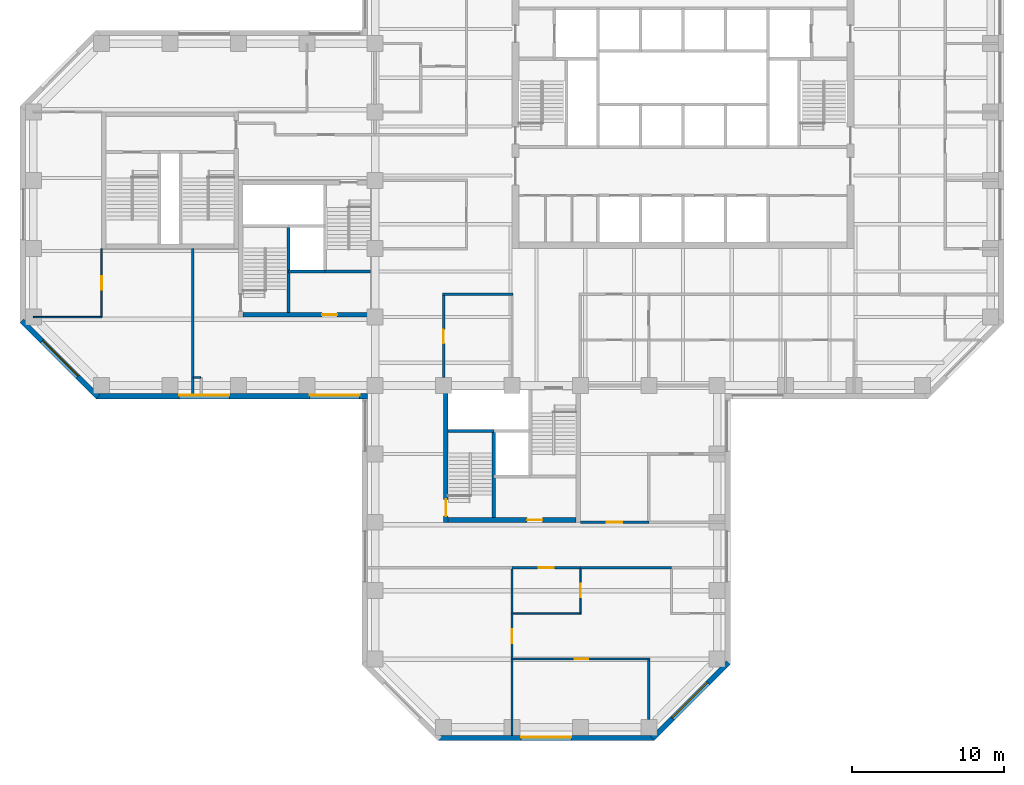
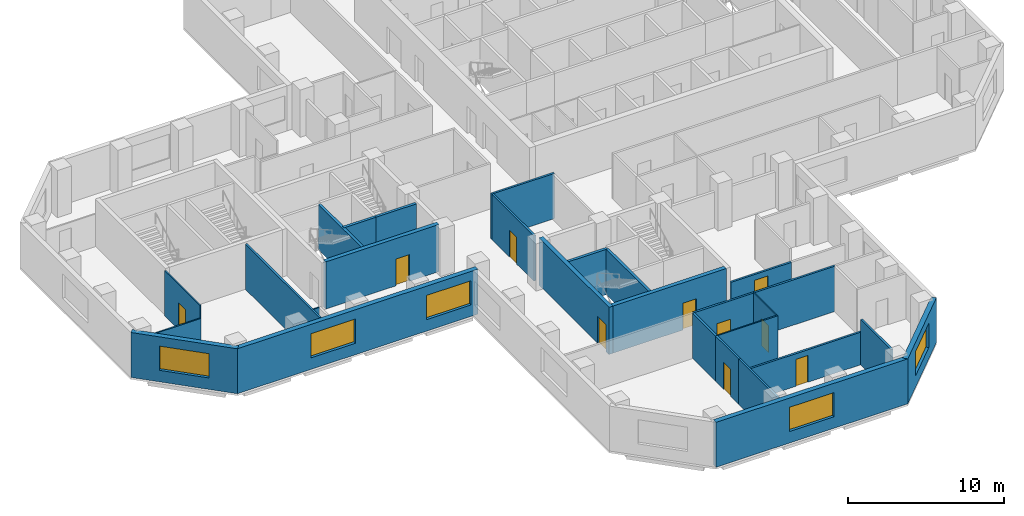
# One storey, part 3 of 11: 28 walls, 10 doors, 5 windows, 15 openings.
"""IFC4 building model written with IfcOpenShell, lengths in metres."""

from ifc_helpers import new_model, si_unit, direction, frame, frame_2d, origin, place, context, subcontext, project, spatial, rectangle, extrude, material, layer, layer_set, constituent, constituent_set, type_object, element, fill, save


model = new_model("IFC4")

# Units and contexts
model_context = context("Model", 3, precision=1e-05, world=origin(), true_north=direction((0.0, 1.0)))
body_context = subcontext(model_context, "Body", "Model", "MODEL_VIEW")
ifc_project = project(units=[si_unit("LENGTHUNIT", "METRE"), si_unit("AREAUNIT", "SQUARE_METRE"), si_unit("VOLUMEUNIT", "CUBIC_METRE"), si_unit("PLANEANGLEUNIT", "RADIAN"), si_unit("MASSUNIT", "GRAM", prefix="KILO")], contexts=[model_context])

# Site, building, storey
site_placement = place(None, origin())
site = spatial("IfcSite", under=ifc_project, at=site_placement, CompositionType="ELEMENT")
building_placement = place(site_placement, origin())
building = spatial("IfcBuilding", under=site, at=building_placement, Name="Quoin Convention Tower", CompositionType="ELEMENT")
storey_placement = place(building_placement, frame((0.0, 0.0, 104.800048828125)))
storey = spatial("IfcBuildingStorey", under=building, at=storey_placement, Name="L27", CompositionType="ELEMENT", Elevation=104.800048828125)

# Walls
ifc_material_1 = material(Name="Plasterboard")
ifc_layer_1 = layer(ifc_material_1, 0.012451171875, Name="Finish")
ifc_material_2 = material(Name="Steel stud framing", Category="steel")
ifc_layer_2 = layer(ifc_material_2, 0.125, Name="Structure")
ifc_layer_3 = layer(ifc_material_1, 0.012451171875, Name="Finish")
ifc_layer_set_1 = layer_set([ifc_layer_1, ifc_layer_2, ifc_layer_3], Name="Steel stud framing")
wall_type_1 = type_object("IfcWallType", Name="Acoustic partition 150", PredefinedType="PARTITIONING", material=ifc_layer_set_1)
wall_1_placement = place(storey_placement, frame((45.0, 17.47509765625, 0.0), z_axis=(0.0, 0.0, 1.0), x_axis=(0.0, 1.0, 0.0)))
element("IfcWall", 1, at=wall_1_placement, inside=storey, type_object=wall_type_1, Name="pw-L27-050", PredefinedType="PARTITIONING", context=body_context, shape_type="SweptSolid", body=[
    extrude(rectangle(XDim=5.02490234375, YDim=0.14990234375, at=frame_2d((2.512451171875, 0.0))), origin(), (0.0, 0.0, 1.0), 3.550048828125),
])
wall_2_placement = place(storey_placement, frame((54.0, 18.52490234375, 0.0), z_axis=(0.0, 0.0, 1.0), x_axis=(0.0, 1.0, 0.0)))
element("IfcWall", 2, at=wall_2_placement, inside=storey, type_object=wall_type_1, Name="pw-L27-051", PredefinedType="PARTITIONING", context=body_context, shape_type="SweptSolid", body=[
    extrude(rectangle(XDim=3.900146484375, YDim=0.14990234375, at=frame_2d((1.9501953125, 0.0))), origin(), (0.0, 0.0, 1.0), 3.550048828125),
])

# Wall, opening, door
wall_3_placement = place(storey_placement, frame((45.0, 22.5, 0.0), z_axis=(0.0, 0.0, 1.0), x_axis=(0.0, 1.0, 0.0)))
wall_3 = element("IfcWall", 3, at=wall_3_placement, inside=storey, type_object=wall_type_1, Name="pw-L27-052", PredefinedType="PARTITIONING", context=body_context, shape_type="SweptSolid", body=[
    extrude(rectangle(XDim=3.0, YDim=0.14990234375, at=frame_2d((1.5, 0.0))), origin(), (0.0, 0.0, 1.0), 3.550048828125),
])
opening_1_placement = place(wall_3_placement, frame((1.050048828125, 0.0, 0.0)))
opening_1 = element("IfcOpeningElement", 4, at=opening_1_placement, cuts=wall_3, Name="Opening DOL4-17", PredefinedType="OPENING", context=body_context, shape_type="SweptSolid", body=[
    extrude(rectangle(XDim=0.89990234375, YDim=2.10009765625, at=frame_2d((0.449951171875, 1.050048828125))), frame((0.0, 0.0849609375, 0.0), z_axis=(0.0, -1.0, 0.0), x_axis=(1.0, 0.0, 0.0)), (0.0, 0.0, 1.0), 0.169921875),
])
ifc_material_3 = material(Name="Steel door leaf", Category="steel")
door_type_1 = type_object("IfcDoorType", Name="Office door 900 x 2100", OperationType="SINGLE_SWING_RIGHT", PredefinedType="DOOR", material=ifc_material_3)
door_1_placement = place(opening_1_placement, origin())
door_1 = element("IfcDoor", 5, at=door_1_placement, inside=storey, type_object=door_type_1, Name="dr-L27-13", OperationType="SINGLE_SWING_RIGHT", OverallHeight=2.10009765625, OverallWidth=0.89990234375, PredefinedType="DOOR", context=body_context, shape_type="SweptSolid", body=[
    extrude(rectangle(XDim=0.89990234375, YDim=2.10009765625, at=frame_2d((0.449951171875, 1.050048828125))), frame((0.0, 0.02490234375, 0.0), z_axis=(0.0, -1.0, 0.0), x_axis=(1.0, 0.0, 0.0)), (0.0, 0.0, 1.0), 0.050048828125),
])
fill(opening_1, door_1)

# Wall
wall_4_placement = place(storey_placement, frame((45.0, 25.5, 0.0), z_axis=(0.0, 0.0, 1.0), x_axis=(0.0, 1.0, 0.0)))
element("IfcWall", 6, at=wall_4_placement, inside=storey, type_object=wall_type_1, Name="pw-L27-053", PredefinedType="PARTITIONING", context=body_context, shape_type="SweptSolid", body=[
    extrude(rectangle(XDim=2.925048828125, YDim=0.14990234375, at=frame_2d((1.46240234375, 0.0))), origin(), (0.0, 0.0, 1.0), 3.550048828125),
])

# Wall, opening, door
ifc_layer_4 = layer(ifc_material_1, 0.012451171875, Name="Finish")
ifc_layer_5 = layer(ifc_material_2, 0.125, Name="Structure")
ifc_layer_6 = layer(ifc_material_1, 0.012451171875, Name="Finish")
ifc_layer_set_2 = layer_set([ifc_layer_4, ifc_layer_5, ifc_layer_6], Name="Steel stud framing")
wall_type_2 = type_object("IfcWallType", Name="Acoustic partition 150 under beam 1000", PredefinedType="PARTITIONING", material=ifc_layer_set_2)
wall_5_placement = place(storey_placement, frame((45.074951171875, 22.5, 0.0), z_axis=(0.0, 0.0, 1.0), x_axis=(1.0, 0.0, 0.0)))
wall_5 = element("IfcWall", 7, at=wall_5_placement, inside=storey, type_object=wall_type_2, Name="pw-L27-001", PredefinedType="PARTITIONING", context=body_context, shape_type="SweptSolid", body=[
    extrude(rectangle(XDim=9.0, YDim=0.14990234375, at=frame_2d((4.5, 0.0))), origin(), (0.0, 0.0, 1.0), 2.550048828125),
])
opening_2_placement = place(wall_5_placement, frame((4.050048828125, 0.0, 0.0)))
opening_2 = element("IfcOpeningElement", 8, at=opening_2_placement, cuts=wall_5, Name="Opening DOL4-01", PredefinedType="OPENING", context=body_context, shape_type="SweptSolid", body=[
    extrude(rectangle(XDim=0.89990234375, YDim=2.10009765625, at=frame_2d((0.449951171875, 1.050048828125))), frame((0.0, 0.0849609375, 0.0), z_axis=(0.0, -1.0, 0.0), x_axis=(1.0, 0.0, 0.0)), (0.0, 0.0, 1.0), 0.169921875),
])
door_2_placement = place(opening_2_placement, origin())
door_2 = element("IfcDoor", 9, at=door_2_placement, inside=storey, type_object=door_type_1, Name="dr-L27-14", OperationType="SINGLE_SWING_RIGHT", OverallHeight=2.10009765625, OverallWidth=0.89990234375, PredefinedType="DOOR", context=body_context, shape_type="SweptSolid", body=[
    extrude(rectangle(XDim=0.89990234375, YDim=2.10009765625, at=frame_2d((0.449951171875, 1.050048828125))), frame((0.0, 0.02490234375, 0.0), z_axis=(0.0, -1.0, 0.0), x_axis=(1.0, 0.0, 0.0)), (0.0, 0.0, 1.0), 0.050048828125),
])
fill(opening_2, door_2)

# Wall, opening, window
ifc_material_4 = material(Name="Brick masonry", Category="masonry")
ifc_layer_7 = layer(ifc_material_4, 0.35009765625)
ifc_layer_set_3 = layer_set([ifc_layer_7], Name="Brick masonry")
wall_type_3 = type_object("IfcWallType", Name="Brick facade wall", PredefinedType="STANDARD", material=ifc_layer_set_3)
wall_6_placement = place(storey_placement, frame((12.748779296875, 44.76123046875, 0.0), z_axis=(0.0, 0.0, 1.0), x_axis=(0.707106781187, -0.707106781187, 0.0)))
wall_6 = element("IfcWall", 10, at=wall_6_placement, inside=storey, type_object=wall_type_3, Name="fw-L27-13500_45000", PredefinedType="STANDARD", context=body_context, shape_type="SweptSolid", body=[
    extrude(rectangle(XDim=7.088623046875, YDim=0.35009765625, at=frame_2d((3.54443359375, 0.0))), origin(), (0.0, 0.0, 1.0), 3.52490234375),
])
opening_3_placement = place(wall_6_placement, frame((1.894287109375, 0.0, 0.89990234375)))
opening_3 = element("IfcOpeningElement", 11, at=opening_3_placement, cuts=wall_6, Name="Opening W-02", PredefinedType="OPENING", context=body_context, shape_type="SweptSolid", body=[
    extrude(rectangle(XDim=3.300048828125, YDim=1.89990234375, at=frame_2d((1.64990234375, 0.949951171875))), frame((0.0, 0.18505859375, 0.0), z_axis=(0.0, -1.0, 0.0), x_axis=(1.0, 0.0, 0.0)), (0.0, 0.0, 1.0), 0.3701171875),
])
ifc_material_5 = material(Name="Aluminium", Category="aluminium")
ifc_constituent_1 = constituent(ifc_material_5, Name="Frame")
ifc_material_6 = material(Name="Insulated glass", Category="glass")
ifc_constituent_2 = constituent(ifc_material_6, Name="Glazing")
ifc_constituent_set = constituent_set(constituents=[ifc_constituent_1, ifc_constituent_2], Name="Aluminium")
window_type = type_object("IfcWindowType", Name="Office window", PartitioningType="DOUBLE_PANEL_VERTICAL", PredefinedType="WINDOW", material=ifc_constituent_set)
window_1_placement = place(opening_3_placement, origin())
window_1 = element("IfcWindow", 12, at=window_1_placement, inside=storey, type_object=window_type, Name="win-L27-15255_42255", OverallHeight=1.89990234375, OverallWidth=3.300048828125, PartitioningType="SINGLE_PANEL", PredefinedType="WINDOW", context=body_context, shape_type="SweptSolid", body=[
    extrude(rectangle(XDim=3.300048828125, YDim=1.89990234375, at=frame_2d((1.64990234375, 0.949951171875))), frame((0.0, 0.0849609375, 0.0), z_axis=(0.0, -1.0, 0.0), x_axis=(1.0, 0.0, 0.0)), (0.0, 0.0, 1.0), 0.06005859375),
])
fill(opening_3, window_1)

# Wall, openings, windows
wall_7_placement = place(storey_placement, frame((17.6376953125, 39.800048828125, 0.0), z_axis=(0.0, 0.0, 1.0), x_axis=(1.0, 0.0, 0.0)))
wall_7 = element("IfcWall", 13, at=wall_7_placement, inside=storey, type_object=wall_type_3, Name="fw-L27-18000_40500", PredefinedType="STANDARD", context=body_context, shape_type="SweptSolid", body=[
    extrude(rectangle(XDim=17.83740234375, YDim=0.35009765625, at=frame_2d((8.918701171875, 0.0))), origin(), (0.0, 0.0, 1.0), 3.52490234375),
])
opening_4_placement = place(wall_7_placement, frame((5.46240234375, 0.0, 0.89990234375)))
opening_4 = element("IfcOpeningElement", 14, at=opening_4_placement, cuts=wall_7, Name="Opening W-02", PredefinedType="OPENING", context=body_context, shape_type="SweptSolid", body=[
    extrude(rectangle(XDim=3.300048828125, YDim=1.89990234375, at=frame_2d((1.64990234375, 0.949951171875))), frame((0.0, 0.18505859375, 0.0), z_axis=(0.0, -1.0, 0.0), x_axis=(1.0, 0.0, 0.0)), (0.0, 0.0, 1.0), 0.3701171875),
])
opening_5_placement = place(wall_7_placement, frame((14.037353515625, 0.0, 0.89990234375)))
opening_5 = element("IfcOpeningElement", 15, at=opening_5_placement, cuts=wall_7, Name="Opening W-02", PredefinedType="OPENING", context=body_context, shape_type="SweptSolid", body=[
    extrude(rectangle(XDim=3.300048828125, YDim=1.89990234375, at=frame_2d((1.64990234375, 0.949951171875))), frame((0.0, 0.18505859375, 0.0), z_axis=(0.0, -1.0, 0.0), x_axis=(1.0, 0.0, 0.0)), (0.0, 0.0, 1.0), 0.3701171875),
])
window_2_placement = place(opening_4_placement, origin())
window_2 = element("IfcWindow", 16, at=window_2_placement, inside=storey, type_object=window_type, Name="win-L27-24750_39800", OverallHeight=1.89990234375, OverallWidth=3.300048828125, PartitioningType="SINGLE_PANEL", PredefinedType="WINDOW", context=body_context, shape_type="SweptSolid", body=[
    extrude(rectangle(XDim=3.300048828125, YDim=1.89990234375, at=frame_2d((1.64990234375, 0.949951171875))), frame((0.0, 0.0849609375, 0.0), z_axis=(0.0, -1.0, 0.0), x_axis=(1.0, 0.0, 0.0)), (0.0, 0.0, 1.0), 0.06005859375),
])
fill(opening_4, window_2)
window_3_placement = place(opening_5_placement, origin())
window_3 = element("IfcWindow", 17, at=window_3_placement, inside=storey, type_object=window_type, Name="win-L27-33750_39800", OverallHeight=1.89990234375, OverallWidth=3.300048828125, PartitioningType="SINGLE_PANEL", PredefinedType="WINDOW", context=body_context, shape_type="SweptSolid", body=[
    extrude(rectangle(XDim=3.300048828125, YDim=1.89990234375, at=frame_2d((1.64990234375, 0.949951171875))), frame((0.0, 0.0849609375, 0.0), z_axis=(0.0, -1.0, 0.0), x_axis=(1.0, 0.0, 0.0)), (0.0, 0.0, 1.0), 0.06005859375),
])
fill(opening_5, window_3)

# Wall, opening, window
wall_8_placement = place(storey_placement, frame((40.1376953125, 17.300048828125, 0.0), z_axis=(0.0, 0.0, 1.0), x_axis=(1.0, 0.0, 0.0)))
wall_8 = element("IfcWall", 18, at=wall_8_placement, inside=storey, type_object=wall_type_3, Name="fw-L27-40500_18000", PredefinedType="STANDARD", context=body_context, shape_type="SweptSolid", body=[
    extrude(rectangle(XDim=14.224609375, YDim=0.35009765625, at=frame_2d((7.1123046875, 0.0))), origin(), (0.0, 0.0, 1.0), 3.52490234375),
])
opening_6_placement = place(wall_8_placement, frame((5.46240234375, 0.0, 0.89990234375)))
opening_6 = element("IfcOpeningElement", 19, at=opening_6_placement, cuts=wall_8, Name="Opening W-02", PredefinedType="OPENING", context=body_context, shape_type="SweptSolid", body=[
    extrude(rectangle(XDim=3.300048828125, YDim=1.89990234375, at=frame_2d((1.64990234375, 0.949951171875))), frame((0.0, 0.18505859375, 0.0), z_axis=(0.0, -1.0, 0.0), x_axis=(1.0, 0.0, 0.0)), (0.0, 0.0, 1.0), 0.3701171875),
])
window_4_placement = place(opening_6_placement, origin())
window_4 = element("IfcWindow", 20, at=window_4_placement, inside=storey, type_object=window_type, Name="win-L27-47250_17300", OverallHeight=1.89990234375, OverallWidth=3.300048828125, PartitioningType="SINGLE_PANEL", PredefinedType="WINDOW", context=body_context, shape_type="SweptSolid", body=[
    extrude(rectangle(XDim=3.300048828125, YDim=1.89990234375, at=frame_2d((1.64990234375, 0.949951171875))), frame((0.0, 0.0849609375, 0.0), z_axis=(0.0, -1.0, 0.0), x_axis=(1.0, 0.0, 0.0)), (0.0, 0.0, 1.0), 0.06005859375),
])
fill(opening_6, window_4)

wall_9_placement = place(storey_placement, frame((54.23876953125, 17.248779296875, 0.0), z_axis=(0.0, 0.0, 1.0), x_axis=(0.707106781187, 0.707106781187, 0.0)))
wall_9 = element("IfcWall", 21, at=wall_9_placement, inside=storey, type_object=wall_type_3, Name="fw-L27-54000_18000", PredefinedType="STANDARD", context=body_context, shape_type="SweptSolid", body=[
    extrude(rectangle(XDim=7.088623046875, YDim=0.35009765625, at=frame_2d((3.54443359375, 0.0))), origin(), (0.0, 0.0, 1.0), 3.52490234375),
])
opening_7_placement = place(wall_9_placement, frame((1.894287109375, 0.0, 0.89990234375)))
opening_7 = element("IfcOpeningElement", 22, at=opening_7_placement, cuts=wall_9, Name="Opening W-02", PredefinedType="OPENING", context=body_context, shape_type="SweptSolid", body=[
    extrude(rectangle(XDim=3.300048828125, YDim=1.89990234375, at=frame_2d((1.64990234375, 0.949951171875))), frame((0.0, 0.18505859375, 0.0), z_axis=(0.0, -1.0, 0.0), x_axis=(1.0, 0.0, 0.0)), (0.0, 0.0, 1.0), 0.3701171875),
])
window_5_placement = place(opening_7_placement, origin())
window_5 = element("IfcWindow", 23, at=window_5_placement, inside=storey, type_object=window_type, Name="win-L27-56745_19755", OverallHeight=1.89990234375, OverallWidth=3.300048828125, PartitioningType="SINGLE_PANEL", PredefinedType="WINDOW", context=body_context, shape_type="SweptSolid", body=[
    extrude(rectangle(XDim=3.300048828125, YDim=1.89990234375, at=frame_2d((1.64990234375, 0.949951171875))), frame((0.0, 0.0849609375, 0.0), z_axis=(0.0, -1.0, 0.0), x_axis=(1.0, 0.0, 0.0)), (0.0, 0.0, 1.0), 0.06005859375),
])
fill(opening_7, window_5)

# Walls
ifc_material_7 = material(Name="Concrete C50", Category="concrete")
ifc_layer_8 = layer(ifc_material_7, 0.199951171875)
ifc_layer_set_4 = layer_set([ifc_layer_8], Name="Concrete C50")
wall_type_4 = type_object("IfcWallType", Name="Core shaft wall", PredefinedType="SOLIDWALL", material=ifc_layer_set_4)
wall_10_placement = place(storey_placement, frame((30.300048828125, 48.0, 0.0), z_axis=(0.0, 0.0, 1.0), x_axis=(1.0, 0.0, 0.0)))
element("IfcWall", 24, at=wall_10_placement, inside=storey, type_object=wall_type_4, Name="cr-P2-L27-h3000_3300", PredefinedType="SOLIDWALL", context=body_context, shape_type="SweptSolid", body=[
    extrude(rectangle(XDim=2.39990234375, YDim=0.199951171875, at=frame_2d((1.199951171875, 0.0))), origin(), (0.0, 0.0, 1.0), 3.550048828125),
])
wall_11_placement = place(storey_placement, frame((32.699951171875, 48.0, 0.0), z_axis=(0.0, 0.0, 1.0), x_axis=(1.0, 0.0, 0.0)))
element("IfcWall", 25, at=wall_11_placement, inside=storey, type_object=wall_type_4, Name="cr-P2-L27-h3000_5700", PredefinedType="SOLIDWALL", context=body_context, shape_type="SweptSolid", body=[
    extrude(rectangle(XDim=3.0, YDim=0.199951171875, at=frame_2d((1.5, 0.0))), origin(), (0.0, 0.0, 1.0), 3.550048828125),
])
wall_12_placement = place(storey_placement, frame((30.300048828125, 45.300048828125, 0.0), z_axis=(0.0, 0.0, 1.0), x_axis=(0.0, 1.0, 0.0)))
element("IfcWall", 26, at=wall_12_placement, inside=storey, type_object=wall_type_4, Name="cr-P2-L27-v3300_300", PredefinedType="SOLIDWALL", context=body_context, shape_type="SweptSolid", body=[
    extrude(rectangle(XDim=5.699951171875, YDim=0.199951171875, at=frame_2d((2.85009765625, 0.0))), origin(), (0.0, 0.0, 1.0), 3.550048828125),
])
wall_13_placement = place(storey_placement, frame((40.800048828125, 37.5, 0.0), z_axis=(0.0, 0.0, 1.0), x_axis=(1.0, 0.0, 0.0)))
element("IfcWall", 27, at=wall_13_placement, inside=storey, type_object=wall_type_4, Name="cr-P3-L27-h6000_300", PredefinedType="SOLIDWALL", context=body_context, shape_type="SweptSolid", body=[
    extrude(rectangle(XDim=3.0, YDim=0.199951171875, at=frame_2d((1.5, 0.0))), origin(), (0.0, 0.0, 1.0), 3.550048828125),
])
wall_14_placement = place(storey_placement, frame((43.800048828125, 31.800048828125, 0.0), z_axis=(0.0, 0.0, 1.0), x_axis=(0.0, 1.0, 0.0)))
element("IfcWall", 28, at=wall_14_placement, inside=storey, type_object=wall_type_4, Name="cr-P3-L27-v3300_300", PredefinedType="SOLIDWALL", context=body_context, shape_type="SweptSolid", body=[
    extrude(rectangle(XDim=5.699951171875, YDim=0.199951171875, at=frame_2d((2.85009765625, 0.0))), origin(), (0.0, 0.0, 1.0), 3.550048828125),
])

# Wall, opening, door
ifc_layer_9 = layer(ifc_material_1, 0.012451171875, Name="Finish")
ifc_layer_10 = layer(ifc_material_2, 0.125, Name="Structure")
ifc_layer_11 = layer(ifc_material_1, 0.012451171875, Name="Finish")
ifc_layer_set_5 = layer_set([ifc_layer_9, ifc_layer_10, ifc_layer_11], Name="Steel stud framing")
wall_type_5 = type_object("IfcWallType", Name="Corridor wall 150", PredefinedType="PARTITIONING", material=ifc_layer_set_5)
wall_15_placement = place(storey_placement, frame((45.0, 28.5, 0.0), z_axis=(0.0, 0.0, 1.0), x_axis=(1.0, 0.0, 0.0)))
wall_15 = element("IfcWall", 29, at=wall_15_placement, inside=storey, type_object=wall_type_5, Name="pw-L27-005", PredefinedType="PARTITIONING", context=body_context, shape_type="SweptSolid", body=[
    extrude(rectangle(XDim=4.5, YDim=0.14990234375, at=frame_2d((2.25, 0.0))), origin(), (0.0, 0.0, 1.0), 3.550048828125),
])
opening_8_placement = place(wall_15_placement, frame((1.75, 0.0, 0.0)))
opening_8 = element("IfcOpeningElement", 30, at=opening_8_placement, cuts=wall_15, Name="Opening DOL4-03", PredefinedType="OPENING", context=body_context, shape_type="SweptSolid", body=[
    extrude(rectangle(XDim=1.0, YDim=2.10009765625, at=frame_2d((0.5, 1.050048828125))), frame((0.0, 0.0849609375, 0.0), z_axis=(0.0, -1.0, 0.0), x_axis=(1.0, 0.0, 0.0)), (0.0, 0.0, 1.0), 0.169921875),
])
door_type_2 = type_object("IfcDoorType", Name="Tenancy entrance door 1000 x 2100", OperationType="DOUBLE_DOOR_SINGLE_SWING", PredefinedType="DOOR", material=ifc_material_3)
door_3_placement = place(opening_8_placement, frame((1.0, 0.0, 0.0), z_axis=(0.0, 0.0, 1.0), x_axis=(-1.0, 0.0, 0.0)))
door_3 = element("IfcDoor", 31, at=door_3_placement, inside=storey, type_object=door_type_2, Name="dr-L27-10", OperationType="DOUBLE_DOOR_SINGLE_SWING", OverallHeight=2.10009765625, OverallWidth=1.0, PredefinedType="DOOR", context=body_context, shape_type="SweptSolid", body=[
    extrude(rectangle(XDim=1.0, YDim=2.10009765625, at=frame_2d((0.5, 1.050048828125))), frame((0.0, 0.02490234375, 0.0), z_axis=(0.0, -1.0, 0.0), x_axis=(1.0, 0.0, 0.0)), (0.0, 0.0, 1.0), 0.050048828125),
])
fill(opening_8, door_3)

# Walls
wall_16_placement = place(storey_placement, frame((49.5, 28.5, 0.0), z_axis=(0.0, 0.0, 1.0), x_axis=(1.0, 0.0, 0.0)))
element("IfcWall", 32, at=wall_16_placement, inside=storey, type_object=wall_type_5, Name="pw-L27-006", PredefinedType="PARTITIONING", context=body_context, shape_type="SweptSolid", body=[
    extrude(rectangle(XDim=6.0, YDim=0.14990234375, at=frame_2d((3.0, 0.0))), origin(), (0.0, 0.0, 1.0), 3.550048828125),
])
wall_17_placement = place(storey_placement, frame((40.425048828125, 46.5, 0.0), z_axis=(0.0, 0.0, 1.0), x_axis=(1.0, 0.0, 0.0)))
element("IfcWall", 33, at=wall_17_placement, inside=storey, type_object=wall_type_5, Name="pw-L27-017", PredefinedType="PARTITIONING", context=body_context, shape_type="SweptSolid", body=[
    extrude(rectangle(XDim=4.64990234375, YDim=0.14990234375, at=frame_2d((2.324951171875, 0.0))), origin(), (0.0, 0.0, 1.0), 3.550048828125),
])
wall_18_placement = place(storey_placement, frame((24.0, 39.97509765625, 0.0), z_axis=(0.0, 0.0, 1.0), x_axis=(0.0, 1.0, 0.0)))
element("IfcWall", 34, at=wall_18_placement, inside=storey, type_object=wall_type_5, Name="pw-L27-057", PredefinedType="PARTITIONING", context=body_context, shape_type="SweptSolid", body=[
    extrude(rectangle(XDim=9.52490234375, YDim=0.14990234375, at=frame_2d((4.762451171875, 0.0))), origin(), (0.0, 0.0, 1.0), 3.550048828125),
])

# Wall, opening, door
wall_19_placement = place(storey_placement, frame((40.5, 41.02490234375, 0.0), z_axis=(0.0, 0.0, 1.0), x_axis=(0.0, 1.0, 0.0)))
wall_19 = element("IfcWall", 35, at=wall_19_placement, inside=storey, type_object=wall_type_5, Name="pw-L27-060", PredefinedType="PARTITIONING", context=body_context, shape_type="SweptSolid", body=[
    extrude(rectangle(XDim=5.400146484375, YDim=0.14990234375, at=frame_2d((2.7001953125, 0.0))), origin(), (0.0, 0.0, 1.0), 3.550048828125),
])
opening_9_placement = place(wall_19_placement, frame((2.25, 0.0, 0.0)))
opening_9 = element("IfcOpeningElement", 36, at=opening_9_placement, cuts=wall_19, Name="Opening DOL4-19", PredefinedType="OPENING", context=body_context, shape_type="SweptSolid", body=[
    extrude(rectangle(XDim=0.89990234375, YDim=2.10009765625, at=frame_2d((0.449951171875, 1.050048828125))), frame((0.0, 0.0849609375, 0.0), z_axis=(0.0, -1.0, 0.0), x_axis=(1.0, 0.0, 0.0)), (0.0, 0.0, 1.0), 0.169921875),
])
door_4_placement = place(opening_9_placement, frame((0.89990234375, 0.0, 0.0), z_axis=(0.0, 0.0, 1.0), x_axis=(-1.0, 0.0, 0.0)))
door_4 = element("IfcDoor", 37, at=door_4_placement, inside=storey, type_object=door_type_1, Name="dr-L27-02", OperationType="SINGLE_SWING_LEFT", OverallHeight=2.10009765625, OverallWidth=0.89990234375, PredefinedType="DOOR", context=body_context, shape_type="SweptSolid", body=[
    extrude(rectangle(XDim=0.89990234375, YDim=2.10009765625, at=frame_2d((0.449951171875, 1.050048828125))), frame((0.0, 0.02490234375, 0.0), z_axis=(0.0, -1.0, 0.0), x_axis=(1.0, 0.0, 0.0)), (0.0, 0.0, 1.0), 0.050048828125),
])
fill(opening_9, door_4)

ifc_layer_12 = layer(ifc_material_1, 0.012451171875, Name="Finish")
ifc_layer_13 = layer(ifc_material_2, 0.125, Name="Structure")
ifc_layer_14 = layer(ifc_material_1, 0.012451171875, Name="Finish")
ifc_layer_set_6 = layer_set([ifc_layer_12, ifc_layer_13, ifc_layer_14], Name="Steel stud framing")
wall_type_6 = type_object("IfcWallType", Name="Corridor wall 150 under beam 1000", PredefinedType="PARTITIONING", material=ifc_layer_set_6)
wall_20_placement = place(storey_placement, frame((49.5, 31.5, 0.0), z_axis=(0.0, 0.0, 1.0), x_axis=(1.0, 0.0, 0.0)))
wall_20 = element("IfcWall", 38, at=wall_20_placement, inside=storey, type_object=wall_type_6, Name="pw-L27-008", PredefinedType="PARTITIONING", context=body_context, shape_type="SweptSolid", body=[
    extrude(rectangle(XDim=4.5, YDim=0.14990234375, at=frame_2d((2.25, 0.0))), origin(), (0.0, 0.0, 1.0), 2.550048828125),
])
opening_10_placement = place(wall_20_placement, frame((1.75, 0.0, 0.0)))
opening_10 = element("IfcOpeningElement", 39, at=opening_10_placement, cuts=wall_20, Name="Opening DOL4-04", PredefinedType="OPENING", context=body_context, shape_type="SweptSolid", body=[
    extrude(rectangle(XDim=1.0, YDim=2.10009765625, at=frame_2d((0.5, 1.050048828125))), frame((0.0, 0.0849609375, 0.0), z_axis=(0.0, -1.0, 0.0), x_axis=(1.0, 0.0, 0.0)), (0.0, 0.0, 1.0), 0.169921875),
])
door_5_placement = place(opening_10_placement, origin())
door_5 = element("IfcDoor", 40, at=door_5_placement, inside=storey, type_object=door_type_2, Name="dr-L27-15", OperationType="DOUBLE_DOOR_SINGLE_SWING", OverallHeight=2.10009765625, OverallWidth=1.0, PredefinedType="DOOR", context=body_context, shape_type="SweptSolid", body=[
    extrude(rectangle(XDim=1.0, YDim=2.10009765625, at=frame_2d((0.5, 1.050048828125))), frame((0.0, 0.02490234375, 0.0), z_axis=(0.0, -1.0, 0.0), x_axis=(1.0, 0.0, 0.0)), (0.0, 0.0, 1.0), 0.050048828125),
])
fill(opening_10, door_5)

ifc_material_8 = material(Name="Concrete C65", Category="concrete")
ifc_layer_15 = layer(ifc_material_8, 0.300048828125)
ifc_layer_set_7 = layer_set([ifc_layer_15], Name="Concrete C65")
wall_type_7 = type_object("IfcWallType", Name="RC CORE WALL 300 C65", PredefinedType="SHEAR", material=ifc_layer_set_7)
wall_21_placement = place(storey_placement, frame((27.300048828125, 45.14990234375, 0.0), z_axis=(0.0, 0.0, 1.0), x_axis=(1.0, 0.0, 0.0)))
wall_21 = element("IfcWall", 41, at=wall_21_placement, inside=storey, type_object=wall_type_7, Name="cwl-P2-L27-S", PredefinedType="SHEAR", context=body_context, shape_type="SweptSolid", body=[
    extrude(rectangle(XDim=8.39990234375, YDim=0.300048828125, at=frame_2d((4.199951171875, 0.0))), origin(), (0.0, 0.0, 1.0), 3.699951171875),
])
opening_11_placement = place(wall_21_placement, frame((5.199951171875, 0.0, 0.0)))
opening_11 = element("IfcOpeningElement", 42, at=opening_11_placement, cuts=wall_21, Name="Opening DCV3-41", PredefinedType="OPENING", context=body_context, shape_type="SweptSolid", body=[
    extrude(rectangle(XDim=1.0, YDim=2.10009765625, at=frame_2d((0.5, 1.050048828125))), frame((0.0, 0.159912109375, 0.0), z_axis=(0.0, -1.0, 0.0), x_axis=(1.0, 0.0, 0.0)), (0.0, 0.0, 1.0), 0.320068359375),
])
door_type_3 = type_object("IfcDoorType", Name="Service door 1000 x 2100", OperationType="SINGLE_SWING_LEFT", PredefinedType="DOOR", material=ifc_material_3)
door_6_placement = place(opening_11_placement, origin())
door_6 = element("IfcDoor", 43, at=door_6_placement, inside=storey, type_object=door_type_3, Name="cd-P2-L27-R2-S", OperationType="SINGLE_SWING_LEFT", OverallHeight=2.10009765625, OverallWidth=1.0, PredefinedType="DOOR", context=body_context, shape_type="SweptSolid", body=[
    extrude(rectangle(XDim=1.0, YDim=2.10009765625, at=frame_2d((0.5, 1.050048828125))), frame((0.0, 0.02490234375, 0.0), z_axis=(0.0, -1.0, 0.0), x_axis=(1.0, 0.0, 0.0)), (0.0, 0.0, 1.0), 0.050048828125),
])
fill(opening_11, door_6)

wall_22_placement = place(storey_placement, frame((40.800048828125, 31.64990234375, 0.0), z_axis=(0.0, 0.0, 1.0), x_axis=(1.0, 0.0, 0.0)))
wall_22 = element("IfcWall", 44, at=wall_22_placement, inside=storey, type_object=wall_type_7, Name="cwl-P3-L27-S", PredefinedType="SHEAR", context=body_context, shape_type="SweptSolid", body=[
    extrude(rectangle(XDim=8.39990234375, YDim=0.300048828125, at=frame_2d((4.199951171875, 0.0))), origin(), (0.0, 0.0, 1.0), 3.699951171875),
])
opening_12_placement = place(wall_22_placement, frame((5.199951171875, 0.0, 0.0)))
opening_12 = element("IfcOpeningElement", 45, at=opening_12_placement, cuts=wall_22, Name="Opening DCV3-42", PredefinedType="OPENING", context=body_context, shape_type="SweptSolid", body=[
    extrude(rectangle(XDim=1.0, YDim=2.10009765625, at=frame_2d((0.5, 1.050048828125))), frame((0.0, 0.159912109375, 0.0), z_axis=(0.0, -1.0, 0.0), x_axis=(1.0, 0.0, 0.0)), (0.0, 0.0, 1.0), 0.320068359375),
])
door_7_placement = place(opening_12_placement, origin())
door_7 = element("IfcDoor", 46, at=door_7_placement, inside=storey, type_object=door_type_3, Name="cd-P3-L27-R2-S", OperationType="SINGLE_SWING_LEFT", OverallHeight=2.10009765625, OverallWidth=1.0, PredefinedType="DOOR", context=body_context, shape_type="SweptSolid", body=[
    extrude(rectangle(XDim=1.0, YDim=2.10009765625, at=frame_2d((0.5, 1.050048828125))), frame((0.0, 0.02490234375, 0.0), z_axis=(0.0, -1.0, 0.0), x_axis=(1.0, 0.0, 0.0)), (0.0, 0.0, 1.0), 0.050048828125),
])
fill(opening_12, door_7)

wall_23_placement = place(storey_placement, frame((40.64990234375, 31.5, 0.0), z_axis=(0.0, 0.0, 1.0), x_axis=(0.0, 1.0, 0.0)))
wall_23 = element("IfcWall", 47, at=wall_23_placement, inside=storey, type_object=wall_type_7, Name="cwl-P3-L27-W", PredefinedType="SHEAR", context=body_context, shape_type="SweptSolid", body=[
    extrude(rectangle(XDim=9.0, YDim=0.300048828125, at=frame_2d((4.5, 0.0))), origin(), (0.0, 0.0, 1.0), 3.699951171875),
])
opening_13_placement = place(wall_23_placement, frame((0.39990234375, 0.0, 0.0)))
opening_13 = element("IfcOpeningElement", 48, at=opening_13_placement, cuts=wall_23, Name="Opening SD5", PredefinedType="OPENING", context=body_context, shape_type="SweptSolid", body=[
    extrude(rectangle(XDim=1.10009765625, YDim=2.10009765625, at=frame_2d((0.550048828125, 1.050048828125))), frame((0.0, 0.159912109375, 0.0), z_axis=(0.0, -1.0, 0.0), x_axis=(1.0, 0.0, 0.0)), (0.0, 0.0, 1.0), 0.320068359375),
])
door_type_4 = type_object("IfcDoorType", Name="Stair door 1100 x 2100", OperationType="SINGLE_SWING_RIGHT", PredefinedType="DOOR", material=ifc_material_3)
door_8_placement = place(opening_13_placement, frame((1.10009765625, 0.0, 0.0), z_axis=(0.0, 0.0, 1.0), x_axis=(-1.0, 0.0, 0.0)))
door_8 = element("IfcDoor", 49, at=door_8_placement, inside=storey, type_object=door_type_4, Name="cd-P3-L27-SA-W", OperationType="SINGLE_SWING_RIGHT", OverallHeight=2.10009765625, OverallWidth=1.10009765625, PredefinedType="DOOR", context=body_context, shape_type="SweptSolid", body=[
    extrude(rectangle(XDim=1.10009765625, YDim=2.10009765625, at=frame_2d((0.550048828125, 1.050048828125))), frame((0.0, 0.02490234375, 0.0), z_axis=(0.0, -1.0, 0.0), x_axis=(1.0, 0.0, 0.0)), (0.0, 0.0, 1.0), 0.050048828125),
])
fill(opening_13, door_8)

# Wall
ifc_layer_16 = layer(ifc_material_1, 0.012451171875, Name="Finish")
ifc_layer_17 = layer(ifc_material_2, 0.074951171875, Name="Structure")
ifc_layer_18 = layer(ifc_material_1, 0.012451171875, Name="Finish")
ifc_layer_set_8 = layer_set([ifc_layer_16, ifc_layer_17, ifc_layer_18], Name="Steel stud framing")
wall_type_8 = type_object("IfcWallType", Name="Stud partition 100", PredefinedType="PARTITIONING", material=ifc_layer_set_8)
wall_24_placement = place(storey_placement, frame((45.074951171875, 25.5, 0.0), z_axis=(0.0, 0.0, 1.0), x_axis=(1.0, 0.0, 0.0)))
element("IfcWall", 50, at=wall_24_placement, inside=storey, type_object=wall_type_8, Name="pw-L27-002", PredefinedType="PARTITIONING", context=body_context, shape_type="SweptSolid", body=[
    extrude(rectangle(XDim=4.47509765625, YDim=0.10009765625, at=frame_2d((2.237548828125, 0.0))), origin(), (0.0, 0.0, 1.0), 3.550048828125),
])

# Wall, opening, door
wall_25_placement = place(storey_placement, frame((49.5, 25.550048828125, 0.0), z_axis=(0.0, 0.0, 1.0), x_axis=(0.0, 1.0, 0.0)))
wall_25 = element("IfcWall", 51, at=wall_25_placement, inside=storey, type_object=wall_type_8, Name="pw-L27-054", PredefinedType="PARTITIONING", context=body_context, shape_type="SweptSolid", body=[
    extrude(rectangle(XDim=2.875, YDim=0.10009765625, at=frame_2d((1.4375, 0.0))), origin(), (0.0, 0.0, 1.0), 3.550048828125),
])
opening_14_placement = place(wall_25_placement, frame((1.0, 0.0, 0.0)))
opening_14 = element("IfcOpeningElement", 52, at=opening_14_placement, cuts=wall_25, Name="Opening DOL4-18", PredefinedType="OPENING", context=body_context, shape_type="SweptSolid", body=[
    extrude(rectangle(XDim=0.89990234375, YDim=2.10009765625, at=frame_2d((0.449951171875, 1.050048828125))), frame((0.0, 0.06005859375, 0.0), z_axis=(0.0, -1.0, 0.0), x_axis=(1.0, 0.0, 0.0)), (0.0, 0.0, 1.0), 0.1201171875),
])
door_9_placement = place(opening_14_placement, frame((0.89990234375, 0.0, 0.0), z_axis=(0.0, 0.0, 1.0), x_axis=(-1.0, 0.0, 0.0)))
door_9 = element("IfcDoor", 53, at=door_9_placement, inside=storey, type_object=door_type_1, Name="dr-L27-11", OperationType="SINGLE_SWING_LEFT", OverallHeight=2.10009765625, OverallWidth=0.89990234375, PredefinedType="DOOR", context=body_context, shape_type="SweptSolid", body=[
    extrude(rectangle(XDim=0.89990234375, YDim=2.10009765625, at=frame_2d((0.449951171875, 1.050048828125))), frame((0.0, 0.02490234375, 0.0), z_axis=(0.0, -1.0, 0.0), x_axis=(1.0, 0.0, 0.0)), (0.0, 0.0, 1.0), 0.050048828125),
])
fill(opening_14, door_9)

wall_26_placement = place(storey_placement, frame((18.0, 49.5, 0.0), z_axis=(0.0, 0.0, 1.0), x_axis=(0.0, -1.0, 0.0)))
wall_26 = element("IfcWall", 54, at=wall_26_placement, inside=storey, type_object=wall_type_8, Name="pw-L27-w04", PredefinedType="PARTITIONING", context=body_context, shape_type="SweptSolid", body=[
    extrude(rectangle(XDim=4.5, YDim=0.10009765625, at=frame_2d((2.25, 0.0))), origin(), (0.0, 0.0, 1.0), 3.550048828125),
])
opening_15_placement = place(wall_26_placement, frame((1.800048828125, 0.0, 0.0)))
opening_15 = element("IfcOpeningElement", 55, at=opening_15_placement, cuts=wall_26, Name="Opening DOL4-33", PredefinedType="OPENING", context=body_context, shape_type="SweptSolid", body=[
    extrude(rectangle(XDim=0.89990234375, YDim=2.10009765625, at=frame_2d((0.449951171875, 1.050048828125))), frame((0.0, 0.06005859375, 0.0), z_axis=(0.0, -1.0, 0.0), x_axis=(1.0, 0.0, 0.0)), (0.0, 0.0, 1.0), 0.1201171875),
])
door_10_placement = place(opening_15_placement, origin())
door_10 = element("IfcDoor", 56, at=door_10_placement, inside=storey, type_object=door_type_1, Name="dr-L27-w04", OperationType="SINGLE_SWING_LEFT", OverallHeight=2.10009765625, OverallWidth=0.89990234375, PredefinedType="DOOR", context=body_context, shape_type="SweptSolid", body=[
    extrude(rectangle(XDim=0.89990234375, YDim=2.10009765625, at=frame_2d((0.449951171875, 1.050048828125))), frame((0.0, 0.02490234375, 0.0), z_axis=(0.0, -1.0, 0.0), x_axis=(1.0, 0.0, 0.0)), (0.0, 0.0, 1.0), 0.050048828125),
])
fill(opening_15, door_10)

# Walls
wall_27_placement = place(storey_placement, frame((24.510009765625, 41.02490234375, 0.0), z_axis=(0.0, 0.0, 1.0), x_axis=(-1.0, 0.0, 0.0)))
element("IfcWall", 57, at=wall_27_placement, inside=storey, type_object=wall_type_8, Name="pw-L27-w08", PredefinedType="PARTITIONING", context=body_context, shape_type="SweptSolid", body=[
    extrude(rectangle(XDim=0.47509765625, YDim=0.10009765625, at=frame_2d((0.237548828125, 0.0))), origin(), (0.0, 0.0, 1.0), 3.550048828125),
])
ifc_layer_19 = layer(ifc_material_1, 0.012451171875, Name="Finish")
ifc_layer_20 = layer(ifc_material_2, 0.074951171875, Name="Structure")
ifc_layer_21 = layer(ifc_material_1, 0.012451171875, Name="Finish")
ifc_layer_set_9 = layer_set([ifc_layer_19, ifc_layer_20, ifc_layer_21], Name="Steel stud framing")
wall_type_9 = type_object("IfcWallType", Name="Stud partition 100 under beam 1000", PredefinedType="PARTITIONING", material=ifc_layer_set_9)
wall_28_placement = place(storey_placement, frame((18.0, 45.0, 0.0), z_axis=(0.0, 0.0, 1.0), x_axis=(-1.0, 0.0, 0.0)))
element("IfcWall", 58, at=wall_28_placement, inside=storey, type_object=wall_type_9, Name="pw-L27-w05", PredefinedType="PARTITIONING", context=body_context, shape_type="SweptSolid", body=[
    extrude(rectangle(XDim=4.5, YDim=0.10009765625, at=frame_2d((2.25, 0.0))), origin(), (0.0, 0.0, 1.0), 2.550048828125),
])

save(model, "model.ifc")
